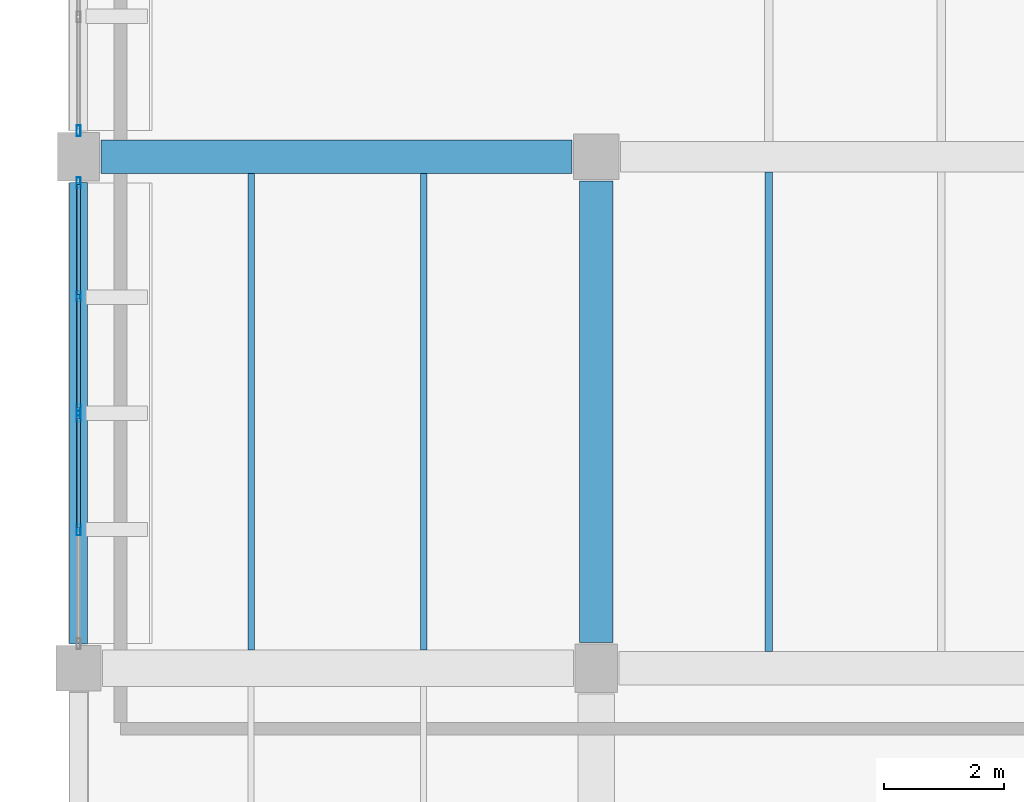
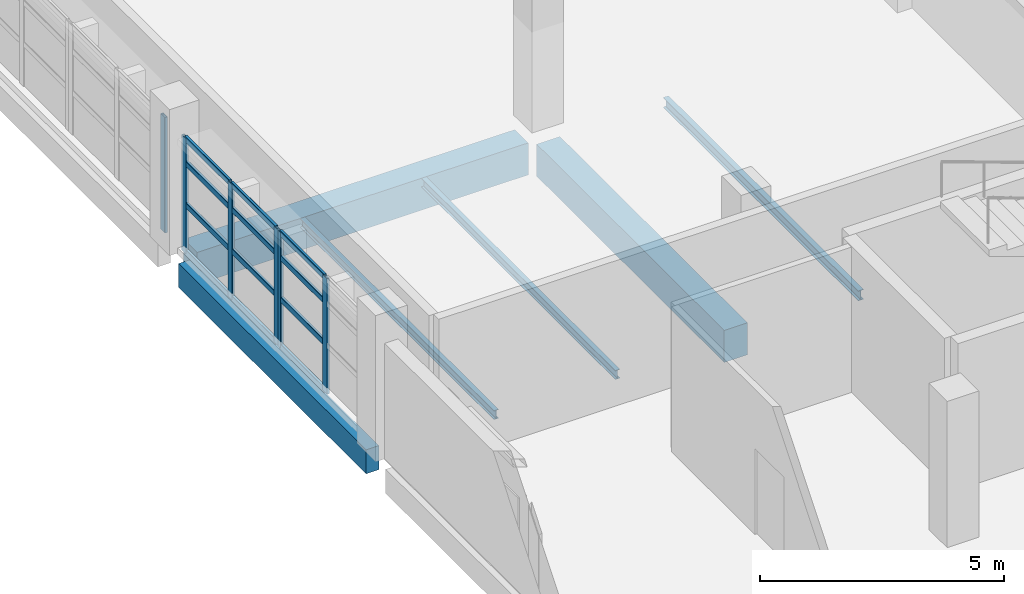
# One storey, part 18 of 80: 18 members, 6 beams, 3 elements without a shape of their own.
"""IFC4 building model written with IfcOpenShell, lengths in metres."""

from ifc_helpers import new_model, si_unit, direction, frame, origin, origin_2d, place, context, subcontext, project, spatial, rectangle, hollow_rectangle, i_section, extrude, material, material_profile, profile_set, type_object, element, aggregate, save


model = new_model("IFC4")

# Units and contexts
model_context = context("Model", 3, precision=1e-05, world=origin(), true_north=direction((0.0, 1.0)))
body_context = subcontext(model_context, "Body", "Model", "MODEL_VIEW")
ifc_project = project(units=[si_unit("LENGTHUNIT", "METRE"), si_unit("AREAUNIT", "SQUARE_METRE"), si_unit("VOLUMEUNIT", "CUBIC_METRE"), si_unit("PLANEANGLEUNIT", "RADIAN"), si_unit("MASSUNIT", "GRAM", prefix="KILO")], contexts=[model_context])

# Site, building, storey
site_placement = place(None, origin())
site = spatial("IfcSite", under=ifc_project, at=site_placement, CompositionType="ELEMENT")
building_placement = place(site_placement, origin())
building = spatial("IfcBuilding", under=site, at=building_placement, Name="Varnakota Cinema and Media Centre", CompositionType="ELEMENT")
storey_placement = place(building_placement, frame((0.0, 0.0, 4.5)))
storey = spatial("IfcBuildingStorey", under=building, at=storey_placement, Name="L01", CompositionType="ELEMENT", Elevation=4.5)

# Beams
ifc_material_1 = material(Name="Concrete M35", Category="concrete")
ifc_material_profile_1 = material_profile(ifc_material_1, rectangle(XDim=0.550048828125, YDim=0.800048828125, at=origin_2d()), Name="RCB 550x800")
ifc_profile_set_1 = profile_set([ifc_material_profile_1], Name="Concrete M35")
beam_type_1 = type_object("IfcBeamType", Name="BM-RC-550x800", PredefinedType="BEAM", material=ifc_profile_set_1)
beam_1_placement = place(storey_placement, frame((0.375, 61.0, -0.64990234375), z_axis=(1.0, 0.0, 0.0), x_axis=(0.0, 1.0, 0.0)))
element("IfcBeam", 1, at=beam_1_placement, inside=storey, type_object=beam_type_1, Name="L01 girder A-B/8", PredefinedType="BEAM", context=body_context, shape_type="SweptSolid", body=[
    extrude(rectangle(XDim=0.550048828125, YDim=0.800048828125, at=origin_2d()), origin(), (0.0, 0.0, 1.0), 7.824951171875),
])
beam_2_placement = place(storey_placement, frame((8.60009765625, 52.925048828125, -0.64990234375), z_axis=(0.0, 1.0, 0.0), x_axis=(-1.0, 0.0, 0.0)))
element("IfcBeam", 2, at=beam_2_placement, inside=storey, type_object=beam_type_1, Name="L01 girder B/7-8", PredefinedType="BEAM", context=body_context, shape_type="SweptSolid", body=[
    extrude(rectangle(XDim=0.550048828125, YDim=0.800048828125, at=origin_2d()), origin(), (0.0, 0.0, 1.0), 7.675048828125),
])
ifc_material_2 = material(Name="Concrete M35", Category="concrete")
ifc_material_profile_2 = material_profile(ifc_material_2, rectangle(XDim=0.300048828125, YDim=0.60009765625, at=origin_2d()), Name="RCB 300x600")
ifc_profile_set_2 = profile_set([ifc_material_profile_2], Name="Concrete M35")
beam_type_2 = type_object("IfcBeamType", Name="BM-SP-300x600", PredefinedType="SPANDREL", material=ifc_profile_set_2)
beam_3_placement = place(storey_placement, frame((0.0, 52.89990234375, -0.550048828125), z_axis=(0.0, 1.0, 0.0), x_axis=(-1.0, 0.0, 0.0)))
element("IfcBeam", 3, at=beam_3_placement, inside=storey, type_object=beam_type_2, Name="L01 girder A/7-8", PredefinedType="SPANDREL", context=body_context, shape_type="SweptSolid", body=[
    extrude(rectangle(XDim=0.300048828125, YDim=0.60009765625, at=origin_2d()), origin(), (0.0, 0.0, 1.0), 7.675048828125),
])
ifc_material_3 = material(Name="Structural steel Grade 350 (E350)", Category="steel")
ifc_material_profile_3 = material_profile(ifc_material_3, i_section(OverallWidth=0.110107421875, OverallDepth=0.22509765625, WebThickness=0.006591796875, FlangeThickness=0.01171875, FilletRadius=0.011962890625, at=origin_2d()), Name="ISMB 225")
ifc_profile_set_3 = profile_set([ifc_material_profile_3], Name="Structural steel Grade 350 (E350)")
beam_type_3 = type_object("IfcBeamType", Name="BM-ST-ISMB225", PredefinedType="JOIST", material=ifc_profile_set_3)
for number, where, z_axis, x_axis, name in (
    (4, (2.86669921875, 52.800048828125, -0.362548828125), (0.0, 1.0, 0.0), (-1.0, 0.0, 0.0), "L01 steel joist A-B/7-8 #1"),
    (5, (5.7333984375, 52.800048828125, -0.362548828125), (0.0, 1.0, 0.0), (-1.0, 0.0, 0.0), "L01 steel joist A-B/7-8 #2"),
):
    element("IfcBeam", number, at=place(storey_placement, frame(where, z_axis=z_axis, x_axis=x_axis)), inside=storey, type_object=beam_type_3, Name=name, PredefinedType="JOIST", context=body_context, shape_type="SweptSolid", body=[
        extrude(i_section(OverallWidth=0.110107421875, OverallDepth=0.22509765625, WebThickness=0.006591796875, FlangeThickness=0.01171875, FilletRadius=0.011962890625, at=origin_2d()), origin(), (0.0, 0.0, 1.0), 7.925048828125),
    ])
ifc_material_4 = material(Name="Structural steel Grade 350 (E350)", Category="steel")
ifc_material_profile_4 = material_profile(ifc_material_4, i_section(OverallWidth=0.125, OverallDepth=0.25, WebThickness=0.0068359375, FlangeThickness=0.012451171875, FilletRadius=0.012939453125, at=origin_2d()), Name="ISMB 250")
ifc_profile_set_4 = profile_set([ifc_material_profile_4], Name="Structural steel Grade 350 (E350)")
beam_type_4 = type_object("IfcBeamType", Name="BM-ST-ISMB250", PredefinedType="JOIST", material=ifc_profile_set_4)
beam_4_placement = place(storey_placement, frame((11.466796875, 52.77490234375, -0.375), z_axis=(0.0, 1.0, 0.0), x_axis=(-1.0, 0.0, 0.0)))
element("IfcBeam", 6, at=beam_4_placement, inside=storey, type_object=beam_type_4, Name="L01 steel joist B-C/7-8 #1", PredefinedType="JOIST", context=body_context, shape_type="SweptSolid", body=[
    extrude(i_section(OverallWidth=0.125, OverallDepth=0.25, WebThickness=0.0068359375, FlangeThickness=0.012451171875, FilletRadius=0.012939453125, at=origin_2d()), origin(), (0.0, 0.0, 1.0), 7.97509765625),
])

# Curtain wall, member
ifc_material_5 = material(Name="Thermally broken anodised aluminium AW-6063", Category="aluminium")
curtain_wall_type = type_object("IfcCurtainWallType", Name="CW-STD-384x288", PredefinedType="USERDEFINED", material=ifc_material_5)
curtain_wall_1_placement = place(storey_placement, origin())
curtain_wall_1 = element("IfcCurtainWall", 7, at=curtain_wall_1_placement, inside=storey, type_object=curtain_wall_type, Name="L01 curtain wall CW-L01-V5-W-02-2", ObjectType="UNITISED CURTAIN WALL", PredefinedType="USERDEFINED")
ifc_material_6 = material(Name="Thermally broken anodised aluminium AW-6063", Category="aluminium")
ifc_material_profile_5 = material_profile(ifc_material_6, hollow_rectangle(XDim=0.06494140625, YDim=0.179931640625, WallThickness=0.00390625, InnerFilletRadius=0.00390625, OuterFilletRadius=0.008056640625, at=origin_2d()), Name="AL-MULLION 180x65x4")
ifc_profile_set_5 = profile_set([ifc_material_profile_5], Name="Thermally broken anodised aluminium AW-6063")
member_type_1 = type_object("IfcMemberType", Name="CWM-AL-180", PredefinedType="MULLION", material=ifc_profile_set_5)
member_1_placement = place(storey_placement, frame((0.0, 61.4326171875, 0.0), z_axis=(0.0, 0.0, 1.0), x_axis=(1.0, 0.0, 0.0)))
member_1 = element("IfcMember", 8, at=member_1_placement, type_object=member_type_1, Name="CW26 mullion 3", PredefinedType="MULLION", context=body_context, shape_type="SweptSolid", body=[
    extrude(hollow_rectangle(XDim=0.06494140625, YDim=0.179931640625, WallThickness=0.00390625, InnerFilletRadius=0.00390625, OuterFilletRadius=0.008056640625, at=origin_2d()), origin(), (0.0, 0.0, 1.0), 2.885009765625),
])
aggregate(curtain_wall_1, [member_1])

# Curtain wall, members
curtain_wall_2_placement = place(storey_placement, origin())
curtain_wall_2 = element("IfcCurtainWall", 9, at=curtain_wall_2_placement, inside=storey, type_object=curtain_wall_type, Name="L01 curtain wall CW-L01-V5-W-03-1", ObjectType="UNITISED CURTAIN WALL", PredefinedType="USERDEFINED")
member_2_placement = place(storey_placement, frame((0.0, 60.5673828125, 0.0), z_axis=(0.0, 0.0, 1.0), x_axis=(1.0, 0.0, 0.0)))
member_2 = element("IfcMember", 10, at=member_2_placement, type_object=member_type_1, Name="CW26 mullion 1", PredefinedType="MULLION", context=body_context, shape_type="SweptSolid", body=[
    extrude(hollow_rectangle(XDim=0.06494140625, YDim=0.179931640625, WallThickness=0.00390625, InnerFilletRadius=0.00390625, OuterFilletRadius=0.008056640625, at=origin_2d()), origin(), (0.0, 0.0, 1.0), 2.885009765625),
])
member_3_placement = place(storey_placement, frame((0.0, 58.6787109375, 0.0), z_axis=(0.0, 0.0, 1.0), x_axis=(1.0, 0.0, 0.0)))
member_3 = element("IfcMember", 11, at=member_3_placement, type_object=member_type_1, Name="CW26 mullion 2", PredefinedType="MULLION", context=body_context, shape_type="SweptSolid", body=[
    extrude(hollow_rectangle(XDim=0.06494140625, YDim=0.179931640625, WallThickness=0.00390625, InnerFilletRadius=0.00390625, OuterFilletRadius=0.008056640625, at=origin_2d()), origin(), (0.0, 0.0, 1.0), 2.885009765625),
])
member_4_placement = place(storey_placement, frame((0.0, 56.7900390625, 0.0), z_axis=(0.0, 0.0, 1.0), x_axis=(1.0, 0.0, 0.0)))
member_4 = element("IfcMember", 12, at=member_4_placement, type_object=member_type_1, Name="CW26 mullion 3", PredefinedType="MULLION", context=body_context, shape_type="SweptSolid", body=[
    extrude(hollow_rectangle(XDim=0.06494140625, YDim=0.179931640625, WallThickness=0.00390625, InnerFilletRadius=0.00390625, OuterFilletRadius=0.008056640625, at=origin_2d()), origin(), (0.0, 0.0, 1.0), 2.885009765625),
])

curtain_wall_3_placement = place(storey_placement, origin())
curtain_wall_3 = element("IfcCurtainWall", 13, at=curtain_wall_3_placement, inside=storey, type_object=curtain_wall_type, Name="L01 curtain wall CW-L01-V5-W-03-2", ObjectType="UNITISED CURTAIN WALL", PredefinedType="USERDEFINED")
member_5_placement = place(storey_placement, frame((0.0, 56.68505859375, 0.0), z_axis=(0.0, 0.0, 1.0), x_axis=(1.0, 0.0, 0.0)))
member_5 = element("IfcMember", 14, at=member_5_placement, type_object=member_type_1, Name="CW26 mullion 1", PredefinedType="MULLION", context=body_context, shape_type="SweptSolid", body=[
    extrude(hollow_rectangle(XDim=0.06494140625, YDim=0.179931640625, WallThickness=0.00390625, InnerFilletRadius=0.00390625, OuterFilletRadius=0.008056640625, at=origin_2d()), origin(), (0.0, 0.0, 1.0), 2.885009765625),
])
member_6_placement = place(storey_placement, frame((0.0, 54.796142578125, 0.0), z_axis=(0.0, 0.0, 1.0), x_axis=(1.0, 0.0, 0.0)))
member_6 = element("IfcMember", 15, at=member_6_placement, type_object=member_type_1, Name="CW26 mullion 2", PredefinedType="MULLION", context=body_context, shape_type="SweptSolid", body=[
    extrude(hollow_rectangle(XDim=0.06494140625, YDim=0.179931640625, WallThickness=0.00390625, InnerFilletRadius=0.00390625, OuterFilletRadius=0.008056640625, at=origin_2d()), origin(), (0.0, 0.0, 1.0), 2.885009765625),
])

# Member
ifc_material_7 = material(Name="Thermally broken anodised aluminium AW-6063", Category="aluminium")
ifc_material_profile_6 = material_profile(ifc_material_7, hollow_rectangle(XDim=0.06494140625, YDim=0.139892578125, WallThickness=0.00390625, InnerFilletRadius=0.00390625, OuterFilletRadius=0.008056640625, at=origin_2d()), Name="AL-TRANSOM 140x65x4")
ifc_profile_set_6 = profile_set([ifc_material_profile_6], Name="Thermally broken anodised aluminium AW-6063")
member_type_2 = type_object("IfcMemberType", Name="CWT-AL-140", PredefinedType="USERDEFINED", material=ifc_profile_set_6)
member_7_placement = place(storey_placement, frame((0.0, 60.534912109375, 0.032470703125), z_axis=(0.0, -1.0, 0.0), x_axis=(1.0, 0.0, 0.0)))
member_7 = element("IfcMember", 16, at=member_7_placement, type_object=member_type_2, Name="CW26 transom 1.1", ObjectType="TRANSOM", PredefinedType="USERDEFINED", context=body_context, shape_type="SweptSolid", body=[
    extrude(hollow_rectangle(XDim=0.06494140625, YDim=0.139892578125, WallThickness=0.00390625, InnerFilletRadius=0.00390625, OuterFilletRadius=0.008056640625, at=origin_2d()), origin(), (0.0, 0.0, 1.0), 1.82373046875),
])

member_8_placement = place(storey_placement, frame((0.0, 60.534912109375, 1.211669921875), z_axis=(0.0, -1.0, 0.0), x_axis=(1.0, 0.0, 0.0)))
member_8 = element("IfcMember", 17, at=member_8_placement, type_object=member_type_2, Name="CW26 transom 1.2", ObjectType="TRANSOM", PredefinedType="USERDEFINED", context=body_context, shape_type="SweptSolid", body=[
    extrude(hollow_rectangle(XDim=0.06494140625, YDim=0.139892578125, WallThickness=0.00390625, InnerFilletRadius=0.00390625, OuterFilletRadius=0.008056640625, at=origin_2d()), origin(), (0.0, 0.0, 1.0), 1.82373046875),
])

member_9_placement = place(storey_placement, frame((0.0, 60.534912109375, 2.250244140625), z_axis=(0.0, -1.0, 0.0), x_axis=(1.0, 0.0, 0.0)))
member_9 = element("IfcMember", 18, at=member_9_placement, type_object=member_type_2, Name="CW26 transom 1.3", ObjectType="TRANSOM", PredefinedType="USERDEFINED", context=body_context, shape_type="SweptSolid", body=[
    extrude(hollow_rectangle(XDim=0.06494140625, YDim=0.139892578125, WallThickness=0.00390625, InnerFilletRadius=0.00390625, OuterFilletRadius=0.008056640625, at=origin_2d()), origin(), (0.0, 0.0, 1.0), 1.82373046875),
])

member_10_placement = place(storey_placement, frame((0.0, 60.534912109375, 2.8525390625), z_axis=(0.0, -1.0, 0.0), x_axis=(1.0, 0.0, 0.0)))
member_10 = element("IfcMember", 19, at=member_10_placement, type_object=member_type_2, Name="CW26 transom 1.4", ObjectType="TRANSOM", PredefinedType="USERDEFINED", context=body_context, shape_type="SweptSolid", body=[
    extrude(hollow_rectangle(XDim=0.06494140625, YDim=0.139892578125, WallThickness=0.00390625, InnerFilletRadius=0.00390625, OuterFilletRadius=0.008056640625, at=origin_2d()), origin(), (0.0, 0.0, 1.0), 1.82373046875),
])

member_11_placement = place(storey_placement, frame((0.0, 58.646240234375, 0.032470703125), z_axis=(0.0, -1.0, 0.0), x_axis=(1.0, 0.0, 0.0)))
member_11 = element("IfcMember", 20, at=member_11_placement, type_object=member_type_2, Name="CW26 transom 2.1", ObjectType="TRANSOM", PredefinedType="USERDEFINED", context=body_context, shape_type="SweptSolid", body=[
    extrude(hollow_rectangle(XDim=0.06494140625, YDim=0.139892578125, WallThickness=0.00390625, InnerFilletRadius=0.00390625, OuterFilletRadius=0.008056640625, at=origin_2d()), origin(), (0.0, 0.0, 1.0), 1.82373046875),
])

member_12_placement = place(storey_placement, frame((0.0, 58.646240234375, 1.211669921875), z_axis=(0.0, -1.0, 0.0), x_axis=(1.0, 0.0, 0.0)))
member_12 = element("IfcMember", 21, at=member_12_placement, type_object=member_type_2, Name="CW26 transom 2.2", ObjectType="TRANSOM", PredefinedType="USERDEFINED", context=body_context, shape_type="SweptSolid", body=[
    extrude(hollow_rectangle(XDim=0.06494140625, YDim=0.139892578125, WallThickness=0.00390625, InnerFilletRadius=0.00390625, OuterFilletRadius=0.008056640625, at=origin_2d()), origin(), (0.0, 0.0, 1.0), 1.82373046875),
])

member_13_placement = place(storey_placement, frame((0.0, 58.646240234375, 2.250244140625), z_axis=(0.0, -1.0, 0.0), x_axis=(1.0, 0.0, 0.0)))
member_13 = element("IfcMember", 22, at=member_13_placement, type_object=member_type_2, Name="CW26 transom 2.3", ObjectType="TRANSOM", PredefinedType="USERDEFINED", context=body_context, shape_type="SweptSolid", body=[
    extrude(hollow_rectangle(XDim=0.06494140625, YDim=0.139892578125, WallThickness=0.00390625, InnerFilletRadius=0.00390625, OuterFilletRadius=0.008056640625, at=origin_2d()), origin(), (0.0, 0.0, 1.0), 1.82373046875),
])

member_14_placement = place(storey_placement, frame((0.0, 58.646240234375, 2.8525390625), z_axis=(0.0, -1.0, 0.0), x_axis=(1.0, 0.0, 0.0)))
member_14 = element("IfcMember", 23, at=member_14_placement, type_object=member_type_2, Name="CW26 transom 2.4", ObjectType="TRANSOM", PredefinedType="USERDEFINED", context=body_context, shape_type="SweptSolid", body=[
    extrude(hollow_rectangle(XDim=0.06494140625, YDim=0.139892578125, WallThickness=0.00390625, InnerFilletRadius=0.00390625, OuterFilletRadius=0.008056640625, at=origin_2d()), origin(), (0.0, 0.0, 1.0), 1.82373046875),
])

aggregate(curtain_wall_2, [member_2, member_3, member_4, member_7, member_8, member_9, member_10, member_11, member_12, member_13, member_14])

member_15_placement = place(storey_placement, frame((0.0, 56.652587890625, 0.032470703125), z_axis=(0.0, -1.0, 0.0), x_axis=(1.0, 0.0, 0.0)))
member_15 = element("IfcMember", 24, at=member_15_placement, type_object=member_type_2, Name="CW26 transom 1.1", ObjectType="TRANSOM", PredefinedType="USERDEFINED", context=body_context, shape_type="SweptSolid", body=[
    extrude(hollow_rectangle(XDim=0.06494140625, YDim=0.139892578125, WallThickness=0.00390625, InnerFilletRadius=0.00390625, OuterFilletRadius=0.008056640625, at=origin_2d()), origin(), (0.0, 0.0, 1.0), 1.82373046875),
])

member_16_placement = place(storey_placement, frame((0.0, 56.652587890625, 1.211669921875), z_axis=(0.0, -1.0, 0.0), x_axis=(1.0, 0.0, 0.0)))
member_16 = element("IfcMember", 25, at=member_16_placement, type_object=member_type_2, Name="CW26 transom 1.2", ObjectType="TRANSOM", PredefinedType="USERDEFINED", context=body_context, shape_type="SweptSolid", body=[
    extrude(hollow_rectangle(XDim=0.06494140625, YDim=0.139892578125, WallThickness=0.00390625, InnerFilletRadius=0.00390625, OuterFilletRadius=0.008056640625, at=origin_2d()), origin(), (0.0, 0.0, 1.0), 1.82373046875),
])

member_17_placement = place(storey_placement, frame((0.0, 56.652587890625, 2.250244140625), z_axis=(0.0, -1.0, 0.0), x_axis=(1.0, 0.0, 0.0)))
member_17 = element("IfcMember", 26, at=member_17_placement, type_object=member_type_2, Name="CW26 transom 1.3", ObjectType="TRANSOM", PredefinedType="USERDEFINED", context=body_context, shape_type="SweptSolid", body=[
    extrude(hollow_rectangle(XDim=0.06494140625, YDim=0.139892578125, WallThickness=0.00390625, InnerFilletRadius=0.00390625, OuterFilletRadius=0.008056640625, at=origin_2d()), origin(), (0.0, 0.0, 1.0), 1.82373046875),
])

member_18_placement = place(storey_placement, frame((0.0, 56.652587890625, 2.8525390625), z_axis=(0.0, -1.0, 0.0), x_axis=(1.0, 0.0, 0.0)))
member_18 = element("IfcMember", 27, at=member_18_placement, type_object=member_type_2, Name="CW26 transom 1.4", ObjectType="TRANSOM", PredefinedType="USERDEFINED", context=body_context, shape_type="SweptSolid", body=[
    extrude(hollow_rectangle(XDim=0.06494140625, YDim=0.139892578125, WallThickness=0.00390625, InnerFilletRadius=0.00390625, OuterFilletRadius=0.008056640625, at=origin_2d()), origin(), (0.0, 0.0, 1.0), 1.82373046875),
])

aggregate(curtain_wall_3, [member_5, member_6, member_15, member_16, member_17, member_18])

save(model, "model.ifc")
